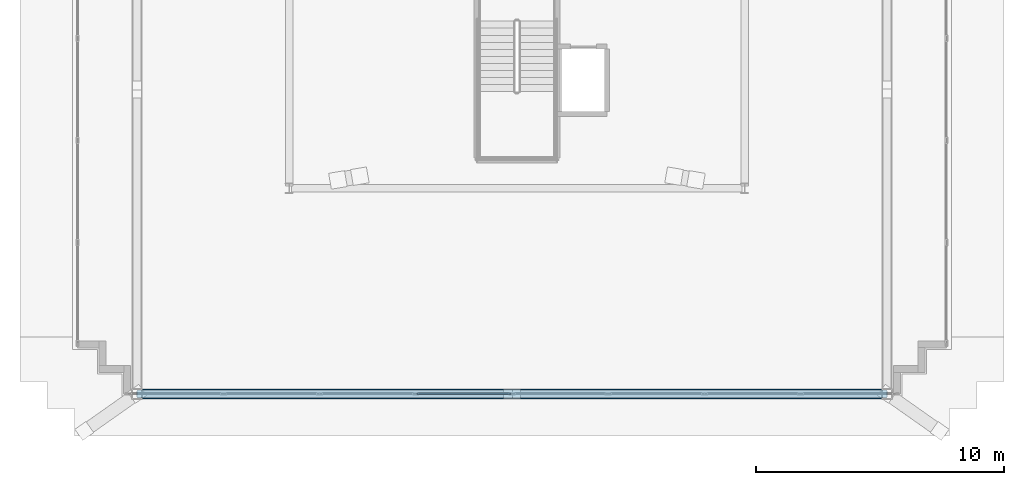
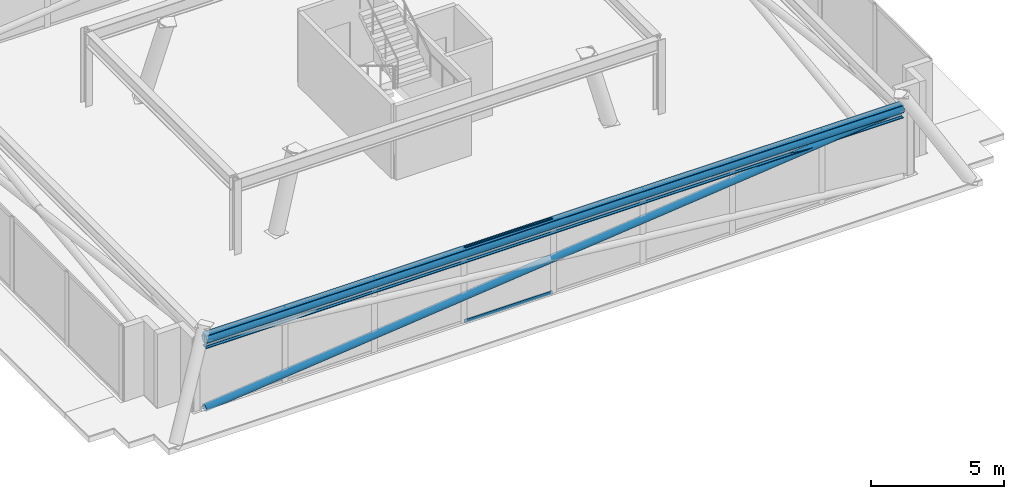
# One storey, part 5 of 18: 4 members, 1 beam, 1 element without a shape of its own.
"""IFC4 building model written with IfcOpenShell, lengths in metres."""

from ifc_helpers import new_model, si_unit, direction, frame, origin, origin_2d, place, context, subcontext, project, spatial, hollow_rectangle, hollow_circle, i_section, extrude, material, layer, layer_set, material_profile, profile_set, type_object, element, aggregate, save


model = new_model("IFC4")

# Units and contexts
model_context = context("Model", 3, precision=1e-05, world=origin(), true_north=direction((0.0, 1.0)))
body_context = subcontext(model_context, "Body", "Model", "MODEL_VIEW")
ifc_project = project(units=[si_unit("LENGTHUNIT", "METRE"), si_unit("AREAUNIT", "SQUARE_METRE"), si_unit("VOLUMEUNIT", "CUBIC_METRE"), si_unit("PLANEANGLEUNIT", "RADIAN"), si_unit("MASSUNIT", "GRAM", prefix="KILO")], contexts=[model_context])

# Site, building, storey
site_placement = place(None, origin())
site = spatial("IfcSite", under=ifc_project, at=site_placement, CompositionType="ELEMENT")
building_placement = place(site_placement, origin())
building = spatial("IfcBuilding", under=site, at=building_placement, Name="Qobustan Lattice House", CompositionType="ELEMENT")
storey_placement = place(building_placement, frame((0.0, 0.0, 277.800048828125)))
storey = spatial("IfcBuildingStorey", under=building, at=storey_placement, Name="L78", CompositionType="ELEMENT", Elevation=277.800048828125)

# Beam
ifc_material_1 = material(Name="Steel S355", Category="steel")
ifc_material_profile_1 = material_profile(ifc_material_1, i_section(OverallWidth=0.300048828125, OverallDepth=0.60009765625, WebThickness=0.015380859375, FlangeThickness=0.030029296875, FilletRadius=0.027099609375, at=origin_2d()), Name="HEB600")
ifc_profile_set_1 = profile_set([ifc_material_profile_1], Name="Steel S355")
beam_type = type_object("IfcBeamType", Name="BM-POD-HEB600", PredefinedType="USERDEFINED", material=ifc_profile_set_1)
beam_placement = place(storey_placement, frame((-15.346435546875, -13.903564453125, 3.099853515625), z_axis=(1.0, 0.0, 0.0), x_axis=(0.0, 1.0, 0.0)))
element("IfcBeam", 1, at=beam_placement, inside=storey, type_object=beam_type, Name="L78 crown perimeter ring beam 1", ObjectType="GIRDER", PredefinedType="USERDEFINED", context=body_context, shape_type="SweptSolid", body=[
    extrude(i_section(OverallWidth=0.300048828125, OverallDepth=0.60009765625, WebThickness=0.015380859375, FlangeThickness=0.030029296875, FilletRadius=0.027099609375, at=origin_2d()), origin(), (0.0, 0.0, 1.0), 30.29296875),
])

# Curtain wall, members
ifc_material_2 = material(Name="Anodised aluminium and low-E glazing", Category="aluminium")
ifc_layer = layer(ifc_material_2, 0.219970703125)
ifc_layer_set = layer_set([ifc_layer], Name="Anodised aluminium and low-E glazing")
curtain_wall_type = type_object("IfcCurtainWallType", Name="CW-CRN-01", PredefinedType="USERDEFINED", material=ifc_layer_set)
curtain_wall_placement = place(storey_placement, origin())
curtain_wall = element("IfcCurtainWall", 2, at=curtain_wall_placement, inside=storey, type_object=curtain_wall_type, Name="L78 glass-point crown faceted curtain wall 20", ObjectType="CURTAIN WALL", PredefinedType="USERDEFINED")
ifc_material_3 = material(Name="Anodised aluminium EN AW-6063 T6", Category="aluminium")
ifc_material_profile_2 = material_profile(ifc_material_3, hollow_rectangle(XDim=0.06494140625, YDim=0.159912109375, WallThickness=0.00390625, at=origin_2d()), Name="CWT-160x65")
ifc_profile_set_2 = profile_set([ifc_material_profile_2], Name="Anodised aluminium EN AW-6063 T6")
member_type_1 = type_object("IfcMemberType", Name="CWT-HOR-160", PredefinedType="USERDEFINED", material=ifc_profile_set_2)
member_1_placement = place(storey_placement, frame((-0.2451171875, -13.903564453125, 0.032470703125), z_axis=(-1.0, 0.0, 0.0), x_axis=(0.0, -1.0, 0.0)))
member_1 = element("IfcMember", 3, at=member_1_placement, type_object=member_type_1, Name="CW-CR transom 5.1", ObjectType="TRANSOM", PredefinedType="USERDEFINED", context=body_context, shape_type="SweptSolid", body=[
    extrude(hollow_rectangle(XDim=0.06494140625, YDim=0.159912109375, WallThickness=0.00390625, at=origin_2d()), origin(), (0.0, 0.0, 1.0), 3.79638671875),
])
member_2_placement = place(storey_placement, frame((-0.2451171875, -13.903564453125, 3.367431640625), z_axis=(-1.0, 0.0, 0.0), x_axis=(0.0, -1.0, 0.0)))
member_2 = element("IfcMember", 4, at=member_2_placement, type_object=member_type_1, Name="CW-CR transom 5.2", ObjectType="TRANSOM", PredefinedType="USERDEFINED", context=body_context, shape_type="SweptSolid", body=[
    extrude(hollow_rectangle(XDim=0.06494140625, YDim=0.159912109375, WallThickness=0.00390625, at=origin_2d()), origin(), (0.0, 0.0, 1.0), 3.79638671875),
])
aggregate(curtain_wall, [member_1, member_2])

# Members
ifc_material_4 = material(Name="Steel S355", Category="steel")
ifc_material_profile_3 = material_profile(ifc_material_4, hollow_circle(Radius=0.161865234375, WallThickness=0.012451171875, at=origin_2d()), Name="CHS323.9x12.5")
ifc_profile_set_3 = profile_set([ifc_material_profile_3], Name="Steel S355")
member_type_2 = type_object("IfcMemberType", Name="MEM-CBR-CHS324", PredefinedType="BRACE", material=ifc_profile_set_3)
member_3_placement = place(storey_placement, frame((-15.346435546875, -13.903564453125, 0.014892578125), z_axis=(0.99458614664, 0.0, 0.103915335308), x_axis=(0.0, 1.0, 0.0)))
element("IfcMember", 5, at=member_3_placement, inside=storey, type_object=member_type_2, Name="L78 crown diagrid continuous brace 1A", PredefinedType="BRACE", context=body_context, shape_type="SweptSolid", body=[
    extrude(hollow_circle(Radius=0.161865234375, WallThickness=0.012451171875, at=origin_2d()), origin(), (0.0, 0.0, 1.0), 30.457763671875),
])
ifc_material_5 = material(Name="Steel S355", Category="steel")
ifc_material_profile_4 = material_profile(ifc_material_5, hollow_circle(Radius=0.203125, WallThickness=0.01611328125, at=origin_2d()), Name="CHS406.4x16")
ifc_profile_set_4 = profile_set([ifc_material_profile_4], Name="Steel S355")
member_type_3 = type_object("IfcMemberType", Name="MEM-RNG-CHS406", PredefinedType="CHORD", material=ifc_profile_set_4)
member_4_placement = place(storey_placement, frame((-15.346435546875, -13.903564453125, 3.179931640625), z_axis=(1.0, 0.0, 0.0), x_axis=(0.0, 1.0, 0.0)))
element("IfcMember", 6, at=member_4_placement, inside=storey, type_object=member_type_3, Name="L78 crown ring chord 1", PredefinedType="CHORD", context=body_context, shape_type="SweptSolid", body=[
    extrude(hollow_circle(Radius=0.203125, WallThickness=0.01611328125, at=origin_2d()), origin(), (0.0, 0.0, 1.0), 30.29296875),
])

save(model, "model.ifc")
